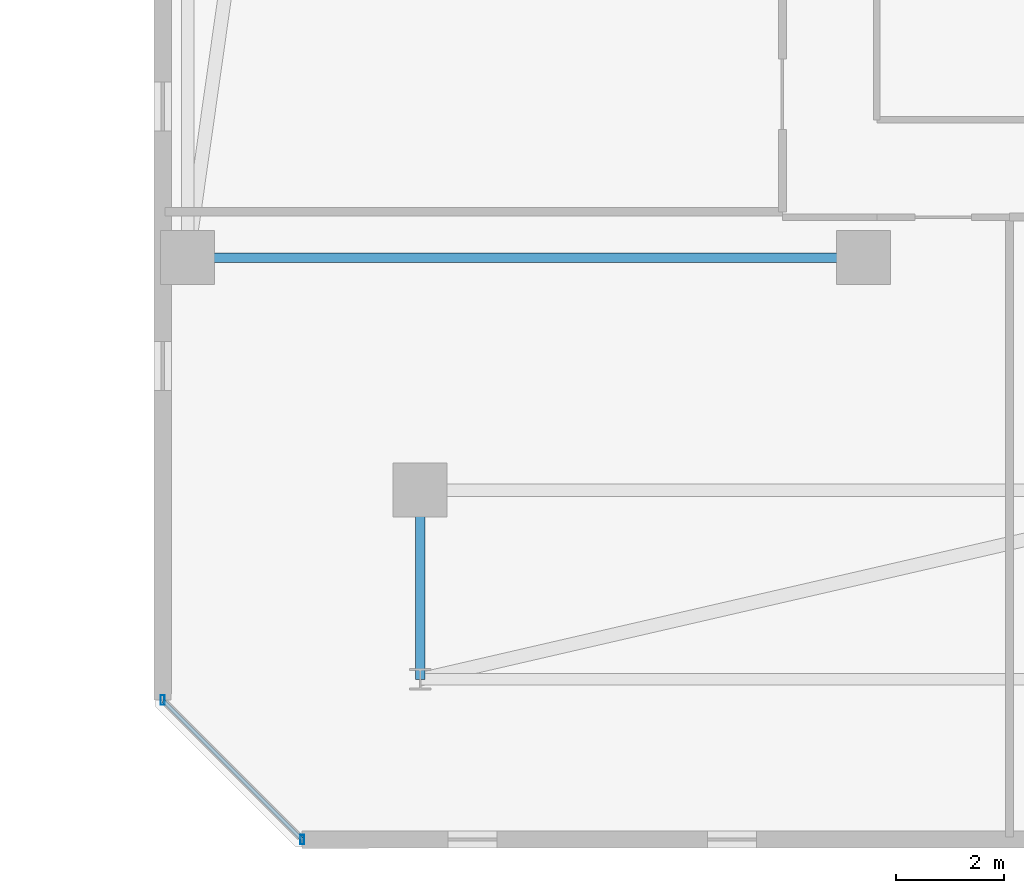
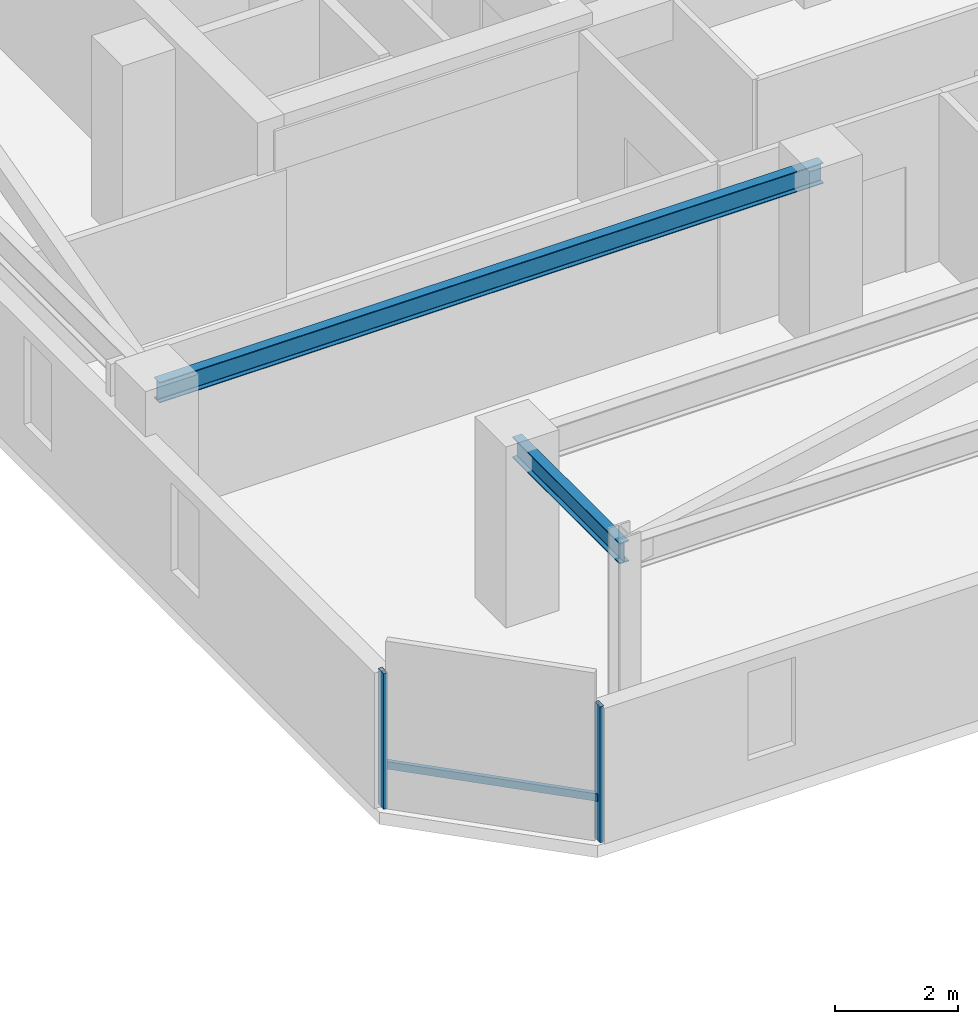
# One storey, part 10 of 31: 3 members, 2 beams, 1 element without a shape of its own.
"""IFC4 building model written with IfcOpenShell, lengths in metres."""

from ifc_helpers import new_model, si_unit, direction, frame, origin, origin_2d, place, context, subcontext, project, spatial, hollow_rectangle, i_section, extrude, material, material_profile, profile_set, type_object, element, aggregate, save


model = new_model("IFC4")

# Units and contexts
model_context = context("Model", 3, precision=1e-05, world=origin(), true_north=direction((0.0, 1.0)))
body_context = subcontext(model_context, "Body", "Model", "MODEL_VIEW")
ifc_project = project(units=[si_unit("LENGTHUNIT", "METRE"), si_unit("AREAUNIT", "SQUARE_METRE"), si_unit("VOLUMEUNIT", "CUBIC_METRE"), si_unit("PLANEANGLEUNIT", "RADIAN"), si_unit("MASSUNIT", "GRAM", prefix="KILO")], contexts=[model_context])

# Site, building, storey
site_placement = place(None, origin())
site = spatial("IfcSite", under=ifc_project, at=site_placement, CompositionType="ELEMENT")
building_placement = place(site_placement, origin())
building = spatial("IfcBuilding", under=site, at=building_placement, Name="Thornwick Lancets Civic Towers", CompositionType="ELEMENT")
storey_placement = place(building_placement, frame((0.0, 0.0, 236.699951171875)))
storey = spatial("IfcBuildingStorey", under=building, at=storey_placement, Name="L63", CompositionType="ELEMENT", Elevation=236.699951171875)

# Beams
ifc_material_1 = material(Name="Steel S355JR", Category="steel")
ifc_material_profile_1 = material_profile(ifc_material_1, i_section(OverallWidth=0.179443359375, OverallDepth=0.412841796875, WebThickness=0.009521484375, FlangeThickness=0.01611328125, FilletRadius=0.01025390625, at=origin_2d()), Name="UKB 406x178x74")
ifc_profile_set_1 = profile_set([ifc_material_profile_1], Name="Steel S355JR")
beam_type = type_object("IfcBeamType", Name="BM_JOIST_406_74", PredefinedType="JOIST", material=ifc_profile_set_1)
beam_1_placement = place(storey_placement, frame((83.699951171875, 14.0, 3.153564453125), z_axis=(-1.0, 0.0, 0.0), x_axis=(0.0, -1.0, 0.0)))
element("IfcBeam", 1, at=beam_1_placement, inside=storey, type_object=beam_type, Name="BM-RADIN-L63-B07", PredefinedType="JOIST", context=body_context, shape_type="SweptSolid", body=[
    extrude(i_section(OverallWidth=0.179443359375, OverallDepth=0.412841796875, WebThickness=0.009521484375, FlangeThickness=0.01611328125, FilletRadius=0.01025390625, at=origin_2d()), origin(), (0.0, 0.0, 1.0), 12.5),
])
beam_2_placement = place(storey_placement, frame((75.5, 9.699951171875, 3.153564453125), z_axis=(0.0, -1.0, 0.0), x_axis=(1.0, 0.0, 0.0)))
element("IfcBeam", 2, at=beam_2_placement, inside=storey, type_object=beam_type, Name="BM-RAD-L63-B12", PredefinedType="JOIST", context=body_context, shape_type="SweptSolid", body=[
    extrude(i_section(OverallWidth=0.179443359375, OverallDepth=0.412841796875, WebThickness=0.009521484375, FlangeThickness=0.01611328125, FilletRadius=0.01025390625, at=origin_2d()), origin(), (0.0, 0.0, 1.0), 3.5),
])

# Curtain wall, members
ifc_material_2 = material(Name="High-zone chamfered-corner unitised glass curtain wall", Category="glass")
curtain_wall_type = type_object("IfcCurtainWallType", Name="CW_SYS_05", PredefinedType="NOTDEFINED", material=ifc_material_2)
curtain_wall_placement = place(storey_placement, origin())
curtain_wall = element("IfcCurtainWall", 3, at=curtain_wall_placement, inside=storey, type_object=curtain_wall_type, Name="L63 Curtain Wall CW-L63-B-E7", PredefinedType="NOTDEFINED")
ifc_material_3 = material(Name="Thermally broken bronze aluminium S355", Category="steel")
ifc_material_profile_2 = material_profile(ifc_material_3, hollow_rectangle(XDim=0.074951171875, YDim=0.179931640625, WallThickness=0.006103515625, at=origin_2d()), Name="RHS 180x75x6")
ifc_profile_set_2 = profile_set([ifc_material_profile_2], Name="Thermally broken bronze aluminium S355")
member_type_1 = type_object("IfcMemberType", Name="CW_MUL_180", PredefinedType="MULLION", material=ifc_profile_set_2)
member_1_placement = place(storey_placement, frame((70.7353515625, 5.818603515625, 0.0), z_axis=(0.0, 0.0, 1.0), x_axis=(1.0, 0.0, 0.0)))
member_1 = element("IfcMember", 4, at=member_1_placement, type_object=member_type_1, Name="CW-L63-B-E7 Mullion 0", PredefinedType="MULLION", context=body_context, shape_type="SweptSolid", body=[
    extrude(hollow_rectangle(XDim=0.074951171875, YDim=0.179931640625, WallThickness=0.006103515625, at=origin_2d()), origin(), (0.0, 0.0, 1.0), 2.699951171875),
])
member_2_placement = place(storey_placement, frame((73.318603515625, 3.2353515625, 0.0), z_axis=(0.0, 0.0, 1.0), x_axis=(1.0, 0.0, 0.0)))
member_2 = element("IfcMember", 5, at=member_2_placement, type_object=member_type_1, Name="CW-L63-B-E7 Mullion 1", PredefinedType="MULLION", context=body_context, shape_type="SweptSolid", body=[
    extrude(hollow_rectangle(XDim=0.074951171875, YDim=0.179931640625, WallThickness=0.006103515625, at=origin_2d()), origin(), (0.0, 0.0, 1.0), 2.699951171875),
])
ifc_material_profile_3 = material_profile(ifc_material_3, hollow_rectangle(XDim=0.074951171875, YDim=0.14990234375, WallThickness=0.0048828125, at=origin_2d()), Name="RHS 150x75x5")
ifc_profile_set_3 = profile_set([ifc_material_profile_3], Name="Thermally broken bronze aluminium S355")
member_type_2 = type_object("IfcMemberType", Name="CW_TRN_150", PredefinedType="USERDEFINED", material=ifc_profile_set_3)
member_3_placement = place(storey_placement, frame((70.74951171875, 5.804443359375, 0.85009765625), z_axis=(0.707106781187, -0.707106781187, 0.0), x_axis=(0.707106781187, 0.707106781187, 0.0)))
member_3 = element("IfcMember", 6, at=member_3_placement, type_object=member_type_2, Name="CW-L63-B-E7 Transom 0", ObjectType="TRANSOM", PredefinedType="USERDEFINED", context=body_context, shape_type="SweptSolid", body=[
    extrude(hollow_rectangle(XDim=0.074951171875, YDim=0.14990234375, WallThickness=0.0048828125, at=origin_2d()), origin(), (0.0, 0.0, 1.0), 3.61328125),
])
aggregate(curtain_wall, [member_1, member_2, member_3])

save(model, "model.ifc")
